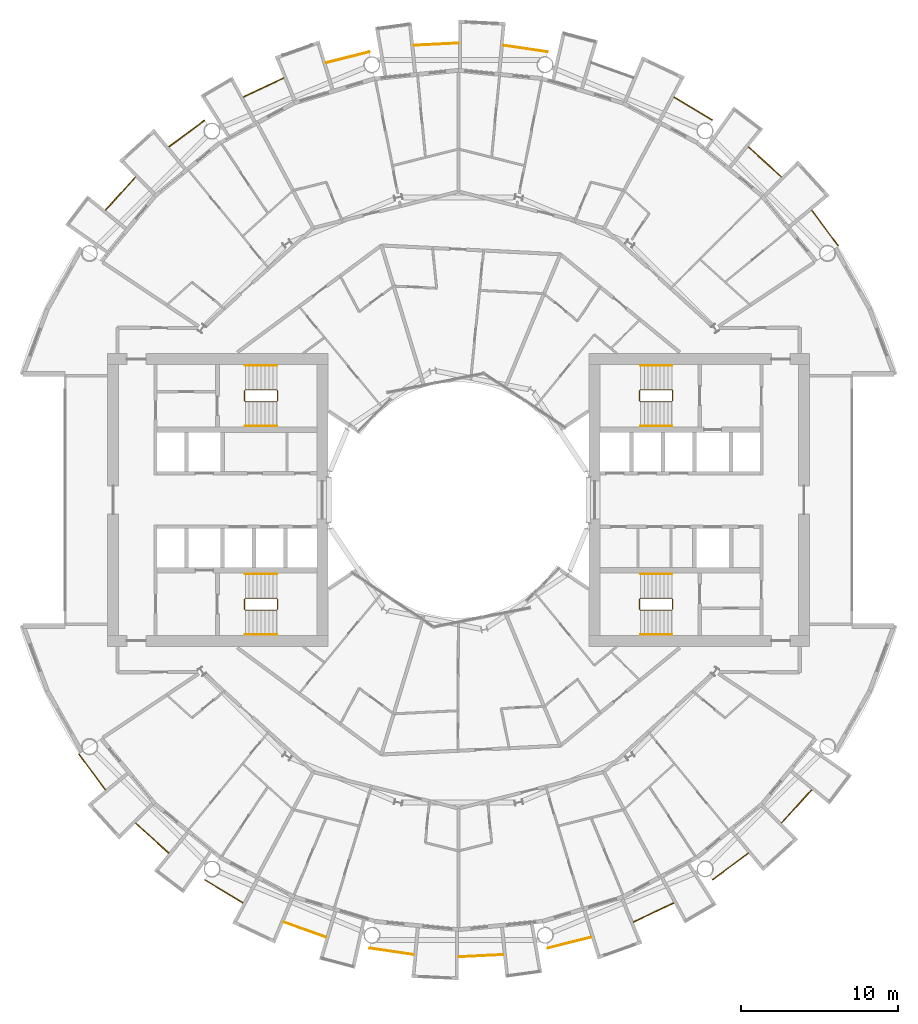
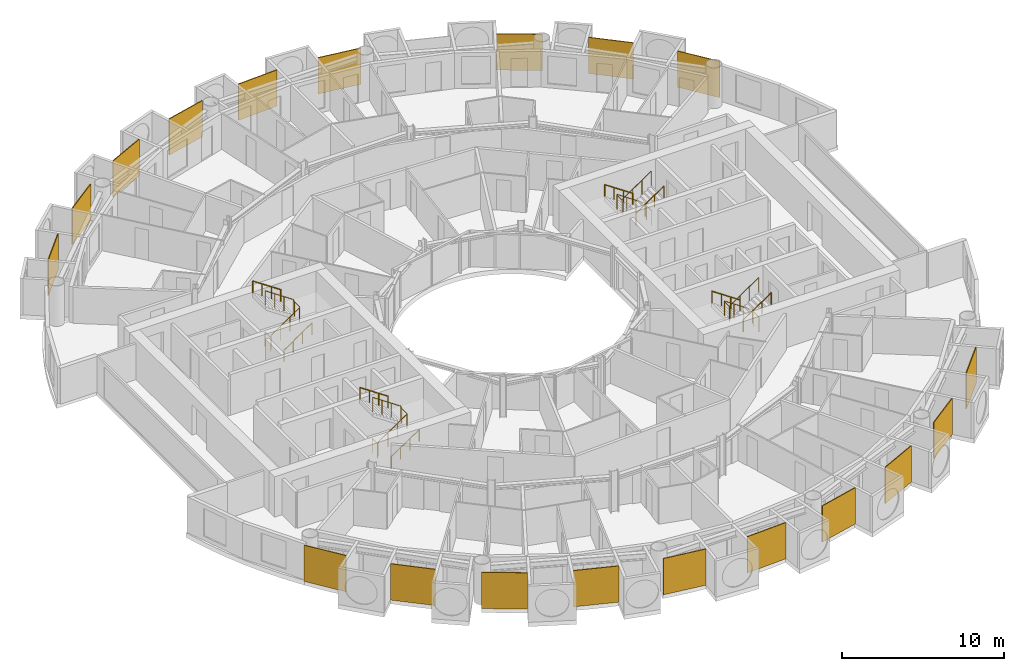
# One storey, part 25 of 26: 31 railings.
"""IFC4 building model written with IfcOpenShell, lengths in metres."""

from ifc_helpers import new_model, si_unit, direction, frame, origin, origin_2d, place, context, subcontext, project, spatial, polyline, circle, outline, extrude, material, layer, layer_set, type_object, element, save


model = new_model("IFC4")

# Units and contexts
model_context = context("Model", 3, precision=1e-05, world=origin(), true_north=direction((0.0, 1.0)))
body_context = subcontext(model_context, "Body", "Model", "MODEL_VIEW")
ifc_project = project(units=[si_unit("LENGTHUNIT", "METRE"), si_unit("AREAUNIT", "SQUARE_METRE"), si_unit("VOLUMEUNIT", "CUBIC_METRE"), si_unit("PLANEANGLEUNIT", "RADIAN"), si_unit("MASSUNIT", "GRAM", prefix="KILO")], contexts=[model_context])

# Site, building, storey
site_placement = place(None, origin())
site = spatial("IfcSite", under=ifc_project, at=site_placement, CompositionType="ELEMENT")
building_placement = place(site_placement, origin())
building = spatial("IfcBuilding", under=site, at=building_placement, Name="Maasbend Ring Residences", CompositionType="ELEMENT")
storey_placement = place(building_placement, frame((0.0, 0.0, 81.89990234375)))
storey = spatial("IfcBuildingStorey", under=building, at=storey_placement, Name="L23", CompositionType="ELEMENT", Elevation=81.89990234375)

# Railings
ifc_material_1 = material(Name="Pale anodised perforated aluminium", Category="aluminium")
ifc_layer = layer(ifc_material_1, 0.06005859375)
ifc_layer_set = layer_set([ifc_layer], Name="SCREEN-P")
railing_type_1 = type_object("IfcRailingType", Name="SCREEN-P", PredefinedType="GUARDRAIL", material=ifc_layer_set)
railing_1_placement = place(storey_placement, frame((0.0, 0.0, -0.02978515625)))
element("IfcRailing", 1, at=railing_1_placement, inside=storey, type_object=railing_type_1, Name="Perforated screen guard 1", PredefinedType="GUARDRAIL", context=body_context, shape_type="SweptSolid", body=[
    extrude(outline(polyline([(24.113037109375, 16.112060546875), (22.4169921875, 18.39697265625), (22.465087890625, 18.43310546875), (24.160888671875, 16.14697265625), (24.113037109375, 16.112060546875)])), origin(), (0.0, 0.0, 1.0), 2.72998046875),
])
railing_2_placement = place(storey_placement, frame((0.0, 0.0, -0.02978515625)))
element("IfcRailing", 2, at=railing_2_placement, inside=storey, type_object=railing_type_1, Name="Perforated screen guard 2", PredefinedType="GUARDRAIL", context=body_context, shape_type="SweptSolid", body=[
    extrude(outline(polyline([(20.506103515625, 20.506103515625), (18.39697265625, 22.4169921875), (18.43798828125, 22.4619140625), (20.5458984375, 20.551025390625), (20.506103515625, 20.506103515625)])), origin(), (0.0, 0.0, 1.0), 2.72998046875),
])
railing_3_placement = place(storey_placement, frame((0.0, 0.0, -0.02978515625)))
element("IfcRailing", 3, at=railing_3_placement, inside=storey, type_object=railing_type_1, Name="Perforated screen guard 3", PredefinedType="GUARDRAIL", context=body_context, shape_type="SweptSolid", body=[
    extrude(outline(polyline([(16.112060546875, 24.113037109375), (13.6708984375, 25.575927734375), (13.700927734375, 25.626953125), (16.14208984375, 24.1640625), (16.112060546875, 24.113037109375)])), origin(), (0.0, 0.0, 1.0), 2.72998046875),
])
railing_4_placement = place(storey_placement, frame((0.0, 0.0, -0.02978515625)))
element("IfcRailing", 4, at=railing_4_placement, inside=storey, type_object=railing_type_1, Name="Perforated screen guard 5", PredefinedType="GUARDRAIL", context=body_context, shape_type="SweptSolid", body=[
    extrude(outline(polyline([(5.657958984375, 28.443115234375), (2.842041015625, 28.860107421875), (2.85107421875, 28.919921875), (5.666015625, 28.501953125), (5.657958984375, 28.443115234375)])), origin(), (0.0, 0.0, 1.0), 2.72998046875),
])
railing_5_placement = place(storey_placement, frame((0.0, 0.0, -0.02978515625)))
element("IfcRailing", 5, at=railing_5_placement, inside=storey, type_object=railing_type_1, Name="Perforated screen guard 6", PredefinedType="GUARDRAIL", context=body_context, shape_type="SweptSolid", body=[
    extrude(outline(polyline([(0.0, 29.0), (-2.842041015625, 28.860107421875), (-2.844970703125, 28.919921875), (-0.0029296875, 29.06005859375), (0.0, 29.0)])), origin(), (0.0, 0.0, 1.0), 2.72998046875),
])
railing_6_placement = place(storey_placement, frame((0.0, 0.0, -0.02978515625)))
element("IfcRailing", 6, at=railing_6_placement, inside=storey, type_object=railing_type_1, Name="Perforated screen guard 7", PredefinedType="GUARDRAIL", context=body_context, shape_type="SweptSolid", body=[
    extrude(outline(polyline([(-5.657958984375, 28.443115234375), (-8.41796875, 27.7509765625), (-8.43310546875, 27.80908203125), (-5.672119140625, 28.5009765625), (-5.657958984375, 28.443115234375)])), origin(), (0.0, 0.0, 1.0), 2.72998046875),
])
railing_7_placement = place(storey_placement, frame((0.0, 0.0, -0.02978515625)))
element("IfcRailing", 7, at=railing_7_placement, inside=storey, type_object=railing_type_1, Name="Perforated screen guard 8", PredefinedType="GUARDRAIL", context=body_context, shape_type="SweptSolid", body=[
    extrude(outline(polyline([(-11.097900390625, 26.79296875), (-13.6708984375, 25.575927734375), (-13.696044921875, 25.6298828125), (-11.123046875, 26.846923828125), (-11.097900390625, 26.79296875)])), origin(), (0.0, 0.0, 1.0), 2.72998046875),
])
railing_8_placement = place(storey_placement, frame((0.0, 0.0, -0.02978515625)))
element("IfcRailing", 8, at=railing_8_placement, inside=storey, type_object=railing_type_1, Name="Perforated screen guard 9", PredefinedType="GUARDRAIL", context=body_context, shape_type="SweptSolid", body=[
    extrude(outline(polyline([(-16.112060546875, 24.113037109375), (-18.39697265625, 22.4169921875), (-18.43310546875, 22.465087890625), (-16.14697265625, 24.160888671875), (-16.112060546875, 24.113037109375)])), origin(), (0.0, 0.0, 1.0), 2.72998046875),
])
railing_9_placement = place(storey_placement, frame((0.0, 0.0, -0.02978515625)))
element("IfcRailing", 9, at=railing_9_placement, inside=storey, type_object=railing_type_1, Name="Perforated screen guard 10", PredefinedType="GUARDRAIL", context=body_context, shape_type="SweptSolid", body=[
    extrude(outline(polyline([(-20.506103515625, 20.506103515625), (-22.4169921875, 18.39697265625), (-22.4619140625, 18.43798828125), (-20.551025390625, 20.5458984375), (-20.506103515625, 20.506103515625)])), origin(), (0.0, 0.0, 1.0), 2.72998046875),
])
railing_10_placement = place(storey_placement, frame((0.0, 0.0, -0.02978515625)))
element("IfcRailing", 10, at=railing_10_placement, inside=storey, type_object=railing_type_1, Name="Perforated screen guard 1", PredefinedType="GUARDRAIL", context=body_context, shape_type="SweptSolid", body=[
    extrude(outline(polyline([(-24.113037109375, -16.112060546875), (-22.4169921875, -18.39697265625), (-22.465087890625, -18.43310546875), (-24.160888671875, -16.14697265625), (-24.113037109375, -16.112060546875)])), origin(), (0.0, 0.0, 1.0), 2.72998046875),
])
railing_11_placement = place(storey_placement, frame((0.0, 0.0, -0.02978515625)))
element("IfcRailing", 11, at=railing_11_placement, inside=storey, type_object=railing_type_1, Name="Perforated screen guard 2", PredefinedType="GUARDRAIL", context=body_context, shape_type="SweptSolid", body=[
    extrude(outline(polyline([(-20.506103515625, -20.506103515625), (-18.39697265625, -22.4169921875), (-18.43798828125, -22.4619140625), (-20.5458984375, -20.551025390625), (-20.506103515625, -20.506103515625)])), origin(), (0.0, 0.0, 1.0), 2.72998046875),
])
railing_12_placement = place(storey_placement, frame((0.0, 0.0, -0.02978515625)))
element("IfcRailing", 12, at=railing_12_placement, inside=storey, type_object=railing_type_1, Name="Perforated screen guard 3", PredefinedType="GUARDRAIL", context=body_context, shape_type="SweptSolid", body=[
    extrude(outline(polyline([(-16.112060546875, -24.113037109375), (-13.6708984375, -25.575927734375), (-13.700927734375, -25.626953125), (-16.14208984375, -24.1640625), (-16.112060546875, -24.113037109375)])), origin(), (0.0, 0.0, 1.0), 2.72998046875),
])
railing_13_placement = place(storey_placement, frame((0.0, 0.0, -0.02978515625)))
element("IfcRailing", 13, at=railing_13_placement, inside=storey, type_object=railing_type_1, Name="Perforated screen guard 4", PredefinedType="GUARDRAIL", context=body_context, shape_type="SweptSolid", body=[
    extrude(outline(polyline([(-11.097900390625, -26.79296875), (-8.41796875, -27.7509765625), (-8.43798828125, -27.80810546875), (-11.117919921875, -26.84912109375), (-11.097900390625, -26.79296875)])), origin(), (0.0, 0.0, 1.0), 2.72998046875),
])
railing_14_placement = place(storey_placement, frame((0.0, 0.0, -0.02978515625)))
element("IfcRailing", 14, at=railing_14_placement, inside=storey, type_object=railing_type_1, Name="Perforated screen guard 5", PredefinedType="GUARDRAIL", context=body_context, shape_type="SweptSolid", body=[
    extrude(outline(polyline([(-5.657958984375, -28.443115234375), (-2.842041015625, -28.860107421875), (-2.85107421875, -28.919921875), (-5.666015625, -28.501953125), (-5.657958984375, -28.443115234375)])), origin(), (0.0, 0.0, 1.0), 2.72998046875),
])
railing_15_placement = place(storey_placement, frame((0.0, 0.0, -0.02978515625)))
element("IfcRailing", 15, at=railing_15_placement, inside=storey, type_object=railing_type_1, Name="Perforated screen guard 6", PredefinedType="GUARDRAIL", context=body_context, shape_type="SweptSolid", body=[
    extrude(outline(polyline([(0.0, -29.0), (2.842041015625, -28.860107421875), (2.844970703125, -28.919921875), (0.0029296875, -29.06005859375), (0.0, -29.0)])), origin(), (0.0, 0.0, 1.0), 2.72998046875),
])
railing_16_placement = place(storey_placement, frame((0.0, 0.0, -0.02978515625)))
element("IfcRailing", 16, at=railing_16_placement, inside=storey, type_object=railing_type_1, Name="Perforated screen guard 7", PredefinedType="GUARDRAIL", context=body_context, shape_type="SweptSolid", body=[
    extrude(outline(polyline([(5.657958984375, -28.443115234375), (8.41796875, -27.7509765625), (8.43310546875, -27.80908203125), (5.672119140625, -28.5009765625), (5.657958984375, -28.443115234375)])), origin(), (0.0, 0.0, 1.0), 2.72998046875),
])
railing_17_placement = place(storey_placement, frame((0.0, 0.0, -0.02978515625)))
element("IfcRailing", 17, at=railing_17_placement, inside=storey, type_object=railing_type_1, Name="Perforated screen guard 8", PredefinedType="GUARDRAIL", context=body_context, shape_type="SweptSolid", body=[
    extrude(outline(polyline([(11.097900390625, -26.79296875), (13.6708984375, -25.575927734375), (13.696044921875, -25.6298828125), (11.123046875, -26.846923828125), (11.097900390625, -26.79296875)])), origin(), (0.0, 0.0, 1.0), 2.72998046875),
])
railing_18_placement = place(storey_placement, frame((0.0, 0.0, -0.02978515625)))
element("IfcRailing", 18, at=railing_18_placement, inside=storey, type_object=railing_type_1, Name="Perforated screen guard 9", PredefinedType="GUARDRAIL", context=body_context, shape_type="SweptSolid", body=[
    extrude(outline(polyline([(16.112060546875, -24.113037109375), (18.39697265625, -22.4169921875), (18.43310546875, -22.465087890625), (16.14697265625, -24.160888671875), (16.112060546875, -24.113037109375)])), origin(), (0.0, 0.0, 1.0), 2.72998046875),
])
railing_19_placement = place(storey_placement, frame((0.0, 0.0, -0.02978515625)))
element("IfcRailing", 19, at=railing_19_placement, inside=storey, type_object=railing_type_1, Name="Perforated screen guard 10", PredefinedType="GUARDRAIL", context=body_context, shape_type="SweptSolid", body=[
    extrude(outline(polyline([(20.506103515625, -20.506103515625), (22.4169921875, -18.39697265625), (22.4619140625, -18.43798828125), (20.551025390625, -20.5458984375), (20.506103515625, -20.506103515625)])), origin(), (0.0, 0.0, 1.0), 2.72998046875),
])
ifc_material_2 = material(Name="Stainless steel 316", Category="steel")
railing_type_2 = type_object("IfcRailingType", Name="STAIR GUARD 1100", PredefinedType="GUARDRAIL", material=ifc_material_2)
railing_20_placement = place(storey_placement, frame((13.60009765625, 6.300048828125, 0.0)))
element("IfcRailing", 20, at=railing_20_placement, inside=storey, type_object=railing_type_2, Name="L23 ST-E1 stair guard 1", PredefinedType="GUARDRAIL", context=body_context, shape_type="SweptSolid", body=[
    extrude(circle(Radius=0.02392578125, at=origin_2d()), frame((0.0, 0.0, 1.076171875), z_axis=(0.0, 1.0, 0.0), x_axis=(-1.0, 0.0, 0.0)), (0.0, 0.0, 1.0), 0.64990234375),
    extrude(circle(Radius=0.02392578125, at=origin_2d()), frame((0.0, 0.64990234375, 1.076171875), z_axis=(-0.272562526181, 0.272562526181, 0.92272386912), x_axis=(-0.707106781187, -0.707106781187, 0.0)), (0.0, 0.0, 1.0), 0.18359375),
    extrude(circle(Radius=0.02392578125, at=origin_2d()), frame((-0.050048828125, 0.699951171875, 1.24560546875), z_axis=(-0.827750655447, 0.0, 0.561096116906), x_axis=(0.0, -1.0, 0.0)), (0.0, 0.0, 1.0), 2.416259765625),
    extrude(circle(Radius=0.02392578125, at=origin_2d()), frame((-2.050048828125, 0.699951171875, 2.60107421875), z_axis=(-0.707106781187, -0.707106781187, 0.0), x_axis=(0.707106781187, -0.707106781187, 0.0)), (0.0, 0.0, 1.0), 0.07080078125),
    extrude(circle(Radius=0.02392578125, at=origin_2d()), frame((-2.10009765625, 0.64990234375, 2.60107421875), z_axis=(0.0, -1.0, 0.0), x_axis=(1.0, 0.0, 0.0)), (0.0, 0.0, 1.0), 0.64990234375),
    extrude(circle(Radius=0.02392578125, at=origin_2d()), frame((-2.10009765625, 0.0, 2.60107421875), z_axis=(0.272562526181, -0.272562526181, 0.92272386912), x_axis=(0.707106781187, 0.707106781187, 0.0)), (0.0, 0.0, 1.0), 0.18359375),
    extrude(circle(Radius=0.02392578125, at=origin_2d()), frame((-2.050048828125, -0.050048828125, 2.7705078125), z_axis=(0.827797584762, 0.0, 0.561026878735), x_axis=(0.0, 1.0, 0.0)), (0.0, 0.0, 1.0), 2.416015625),
    extrude(circle(Radius=0.02099609375, at=origin_2d()), origin(), (0.0, 0.0, 1.0), 1.052001953125),
    extrude(circle(Radius=0.02099609375, at=origin_2d()), frame((0.0, 0.64990234375, 0.0)), (0.0, 0.0, 1.0), 1.052001953125),
    extrude(circle(Radius=0.02099609375, at=origin_2d()), frame((-0.050048828125, 0.699951171875, 0.16943359375)), (0.0, 0.0, 1.0), 1.052001953125),
    extrude(circle(Radius=0.02099609375, at=origin_2d()), frame((-0.716796875, 0.699951171875, 0.621337890625)), (0.0, 0.0, 1.0), 1.052001953125),
    extrude(circle(Radius=0.02099609375, at=origin_2d()), frame((-1.38330078125, 0.699951171875, 1.0732421875)), (0.0, 0.0, 1.0), 1.052001953125),
    extrude(circle(Radius=0.02099609375, at=origin_2d()), frame((-2.050048828125, 0.699951171875, 1.525146484375)), (0.0, 0.0, 1.0), 1.052001953125),
    extrude(circle(Radius=0.02099609375, at=origin_2d()), frame((-2.10009765625, 0.64990234375, 1.525146484375)), (0.0, 0.0, 1.0), 1.052001953125),
    extrude(circle(Radius=0.02099609375, at=origin_2d()), frame((-2.10009765625, 0.0, 1.525146484375)), (0.0, 0.0, 1.0), 1.052001953125),
    extrude(circle(Radius=0.02099609375, at=origin_2d()), frame((-2.050048828125, -0.050048828125, 1.694580078125)), (0.0, 0.0, 1.0), 1.052001953125),
    extrude(circle(Radius=0.02099609375, at=origin_2d()), frame((-1.38330078125, -0.050048828125, 2.146484375)), (0.0, 0.0, 1.0), 1.052001953125),
    extrude(circle(Radius=0.02099609375, at=origin_2d()), frame((-0.716796875, -0.050048828125, 2.59814453125)), (0.0, 0.0, 1.0), 1.052001953125),
    extrude(circle(Radius=0.02099609375, at=origin_2d()), frame((-0.050048828125, -0.050048828125, 3.050048828125)), (0.0, 0.0, 1.0), 1.052001953125),
])
railing_21_placement = place(storey_placement, frame((13.60009765625, -6.949951171875, 0.0)))
element("IfcRailing", 21, at=railing_21_placement, inside=storey, type_object=railing_type_2, Name="L23 ST-E2 stair guard 1", PredefinedType="GUARDRAIL", context=body_context, shape_type="SweptSolid", body=[
    extrude(circle(Radius=0.02392578125, at=origin_2d()), frame((0.0, 0.0, 1.076171875), z_axis=(0.0, 1.0, 0.0), x_axis=(-1.0, 0.0, 0.0)), (0.0, 0.0, 1.0), 0.64990234375),
    extrude(circle(Radius=0.02392578125, at=origin_2d()), frame((0.0, 0.64990234375, 1.076171875), z_axis=(-0.272562526181, 0.272562526181, 0.92272386912), x_axis=(-0.707106781187, -0.707106781187, 0.0)), (0.0, 0.0, 1.0), 0.18359375),
    extrude(circle(Radius=0.02392578125, at=origin_2d()), frame((-0.050048828125, 0.699951171875, 1.24560546875), z_axis=(-0.827750655447, 0.0, 0.561096116906), x_axis=(0.0, -1.0, 0.0)), (0.0, 0.0, 1.0), 2.416259765625),
    extrude(circle(Radius=0.02392578125, at=origin_2d()), frame((-2.050048828125, 0.699951171875, 2.60107421875), z_axis=(-0.707106781187, -0.707106781187, 0.0), x_axis=(0.707106781187, -0.707106781187, 0.0)), (0.0, 0.0, 1.0), 0.07080078125),
    extrude(circle(Radius=0.02392578125, at=origin_2d()), frame((-2.10009765625, 0.64990234375, 2.60107421875), z_axis=(0.0, -1.0, 0.0), x_axis=(1.0, 0.0, 0.0)), (0.0, 0.0, 1.0), 0.64990234375),
    extrude(circle(Radius=0.02392578125, at=origin_2d()), frame((-2.10009765625, 0.0, 2.60107421875), z_axis=(0.272562526181, -0.272562526181, 0.92272386912), x_axis=(0.707106781187, 0.707106781187, 0.0)), (0.0, 0.0, 1.0), 0.18359375),
    extrude(circle(Radius=0.02392578125, at=origin_2d()), frame((-2.050048828125, -0.050048828125, 2.7705078125), z_axis=(0.827797584762, 0.0, 0.561026878735), x_axis=(0.0, 1.0, 0.0)), (0.0, 0.0, 1.0), 2.416015625),
    extrude(circle(Radius=0.02099609375, at=origin_2d()), origin(), (0.0, 0.0, 1.0), 1.052001953125),
    extrude(circle(Radius=0.02099609375, at=origin_2d()), frame((0.0, 0.64990234375, 0.0)), (0.0, 0.0, 1.0), 1.052001953125),
    extrude(circle(Radius=0.02099609375, at=origin_2d()), frame((-0.050048828125, 0.699951171875, 0.16943359375)), (0.0, 0.0, 1.0), 1.052001953125),
    extrude(circle(Radius=0.02099609375, at=origin_2d()), frame((-0.716796875, 0.699951171875, 0.621337890625)), (0.0, 0.0, 1.0), 1.052001953125),
    extrude(circle(Radius=0.02099609375, at=origin_2d()), frame((-1.38330078125, 0.699951171875, 1.0732421875)), (0.0, 0.0, 1.0), 1.052001953125),
    extrude(circle(Radius=0.02099609375, at=origin_2d()), frame((-2.050048828125, 0.699951171875, 1.525146484375)), (0.0, 0.0, 1.0), 1.052001953125),
    extrude(circle(Radius=0.02099609375, at=origin_2d()), frame((-2.10009765625, 0.64990234375, 1.525146484375)), (0.0, 0.0, 1.0), 1.052001953125),
    extrude(circle(Radius=0.02099609375, at=origin_2d()), frame((-2.10009765625, 0.0, 1.525146484375)), (0.0, 0.0, 1.0), 1.052001953125),
    extrude(circle(Radius=0.02099609375, at=origin_2d()), frame((-2.050048828125, -0.050048828125, 1.694580078125)), (0.0, 0.0, 1.0), 1.052001953125),
    extrude(circle(Radius=0.02099609375, at=origin_2d()), frame((-1.38330078125, -0.050048828125, 2.146484375)), (0.0, 0.0, 1.0), 1.052001953125),
    extrude(circle(Radius=0.02099609375, at=origin_2d()), frame((-0.716796875, -0.050048828125, 2.59814453125)), (0.0, 0.0, 1.0), 1.052001953125),
    extrude(circle(Radius=0.02099609375, at=origin_2d()), frame((-0.050048828125, -0.050048828125, 3.050048828125)), (0.0, 0.0, 1.0), 1.052001953125),
])
railing_22_placement = place(storey_placement, frame((-13.60009765625, -6.300048828125, 0.0)))
element("IfcRailing", 22, at=railing_22_placement, inside=storey, type_object=railing_type_2, Name="L23 ST-W1 stair guard 1", PredefinedType="GUARDRAIL", context=body_context, shape_type="SweptSolid", body=[
    extrude(circle(Radius=0.02392578125, at=origin_2d()), frame((0.0, 0.0, 1.076171875), z_axis=(0.0, -1.0, 0.0), x_axis=(1.0, 0.0, 0.0)), (0.0, 0.0, 1.0), 0.64990234375),
    extrude(circle(Radius=0.02392578125, at=origin_2d()), frame((0.0, -0.64990234375, 1.076171875), z_axis=(0.272562526181, -0.272562526181, 0.92272386912), x_axis=(0.707106781187, 0.707106781187, 0.0)), (0.0, 0.0, 1.0), 0.18359375),
    extrude(circle(Radius=0.02392578125, at=origin_2d()), frame((0.050048828125, -0.699951171875, 1.24560546875), z_axis=(0.827750655447, 0.0, 0.561096116906), x_axis=(0.0, 1.0, 0.0)), (0.0, 0.0, 1.0), 2.416259765625),
    extrude(circle(Radius=0.02392578125, at=origin_2d()), frame((2.050048828125, -0.699951171875, 2.60107421875), z_axis=(0.707106781187, 0.707106781187, 0.0), x_axis=(-0.707106781187, 0.707106781187, 0.0)), (0.0, 0.0, 1.0), 0.07080078125),
    extrude(circle(Radius=0.02392578125, at=origin_2d()), frame((2.10009765625, -0.64990234375, 2.60107421875), z_axis=(0.0, 1.0, 0.0), x_axis=(-1.0, 0.0, 0.0)), (0.0, 0.0, 1.0), 0.64990234375),
    extrude(circle(Radius=0.02392578125, at=origin_2d()), frame((2.10009765625, 0.0, 2.60107421875), z_axis=(-0.272562526181, 0.272562526181, 0.92272386912), x_axis=(-0.707106781187, -0.707106781187, 0.0)), (0.0, 0.0, 1.0), 0.18359375),
    extrude(circle(Radius=0.02392578125, at=origin_2d()), frame((2.050048828125, 0.050048828125, 2.7705078125), z_axis=(-0.827797584762, 0.0, 0.561026878735), x_axis=(0.0, -1.0, 0.0)), (0.0, 0.0, 1.0), 2.416015625),
    extrude(circle(Radius=0.02099609375, at=origin_2d()), origin(), (0.0, 0.0, 1.0), 1.052001953125),
    extrude(circle(Radius=0.02099609375, at=origin_2d()), frame((0.0, -0.64990234375, 0.0)), (0.0, 0.0, 1.0), 1.052001953125),
    extrude(circle(Radius=0.02099609375, at=origin_2d()), frame((0.050048828125, -0.699951171875, 0.16943359375)), (0.0, 0.0, 1.0), 1.052001953125),
    extrude(circle(Radius=0.02099609375, at=origin_2d()), frame((0.716796875, -0.699951171875, 0.621337890625)), (0.0, 0.0, 1.0), 1.052001953125),
    extrude(circle(Radius=0.02099609375, at=origin_2d()), frame((1.38330078125, -0.699951171875, 1.0732421875)), (0.0, 0.0, 1.0), 1.052001953125),
    extrude(circle(Radius=0.02099609375, at=origin_2d()), frame((2.050048828125, -0.699951171875, 1.525146484375)), (0.0, 0.0, 1.0), 1.052001953125),
    extrude(circle(Radius=0.02099609375, at=origin_2d()), frame((2.10009765625, -0.64990234375, 1.525146484375)), (0.0, 0.0, 1.0), 1.052001953125),
    extrude(circle(Radius=0.02099609375, at=origin_2d()), frame((2.10009765625, 0.0, 1.525146484375)), (0.0, 0.0, 1.0), 1.052001953125),
    extrude(circle(Radius=0.02099609375, at=origin_2d()), frame((2.050048828125, 0.050048828125, 1.694580078125)), (0.0, 0.0, 1.0), 1.052001953125),
    extrude(circle(Radius=0.02099609375, at=origin_2d()), frame((1.38330078125, 0.050048828125, 2.146484375)), (0.0, 0.0, 1.0), 1.052001953125),
    extrude(circle(Radius=0.02099609375, at=origin_2d()), frame((0.716796875, 0.050048828125, 2.59814453125)), (0.0, 0.0, 1.0), 1.052001953125),
    extrude(circle(Radius=0.02099609375, at=origin_2d()), frame((0.050048828125, 0.050048828125, 3.050048828125)), (0.0, 0.0, 1.0), 1.052001953125),
])
railing_23_placement = place(storey_placement, frame((-13.60009765625, 6.949951171875, 0.0)))
element("IfcRailing", 23, at=railing_23_placement, inside=storey, type_object=railing_type_2, Name="L23 ST-W2 stair guard 1", PredefinedType="GUARDRAIL", context=body_context, shape_type="SweptSolid", body=[
    extrude(circle(Radius=0.02392578125, at=origin_2d()), frame((0.0, 0.0, 1.076171875), z_axis=(0.0, -1.0, 0.0), x_axis=(1.0, 0.0, 0.0)), (0.0, 0.0, 1.0), 0.64990234375),
    extrude(circle(Radius=0.02392578125, at=origin_2d()), frame((0.0, -0.64990234375, 1.076171875), z_axis=(0.272562526181, -0.272562526181, 0.92272386912), x_axis=(0.707106781187, 0.707106781187, 0.0)), (0.0, 0.0, 1.0), 0.18359375),
    extrude(circle(Radius=0.02392578125, at=origin_2d()), frame((0.050048828125, -0.699951171875, 1.24560546875), z_axis=(0.827750655447, 0.0, 0.561096116906), x_axis=(0.0, 1.0, 0.0)), (0.0, 0.0, 1.0), 2.416259765625),
    extrude(circle(Radius=0.02392578125, at=origin_2d()), frame((2.050048828125, -0.699951171875, 2.60107421875), z_axis=(0.707106781187, 0.707106781187, 0.0), x_axis=(-0.707106781187, 0.707106781187, 0.0)), (0.0, 0.0, 1.0), 0.07080078125),
    extrude(circle(Radius=0.02392578125, at=origin_2d()), frame((2.10009765625, -0.64990234375, 2.60107421875), z_axis=(0.0, 1.0, 0.0), x_axis=(-1.0, 0.0, 0.0)), (0.0, 0.0, 1.0), 0.64990234375),
    extrude(circle(Radius=0.02392578125, at=origin_2d()), frame((2.10009765625, 0.0, 2.60107421875), z_axis=(-0.272562526181, 0.272562526181, 0.92272386912), x_axis=(-0.707106781187, -0.707106781187, 0.0)), (0.0, 0.0, 1.0), 0.18359375),
    extrude(circle(Radius=0.02392578125, at=origin_2d()), frame((2.050048828125, 0.050048828125, 2.7705078125), z_axis=(-0.827797584762, 0.0, 0.561026878735), x_axis=(0.0, -1.0, 0.0)), (0.0, 0.0, 1.0), 2.416015625),
    extrude(circle(Radius=0.02099609375, at=origin_2d()), origin(), (0.0, 0.0, 1.0), 1.052001953125),
    extrude(circle(Radius=0.02099609375, at=origin_2d()), frame((0.0, -0.64990234375, 0.0)), (0.0, 0.0, 1.0), 1.052001953125),
    extrude(circle(Radius=0.02099609375, at=origin_2d()), frame((0.050048828125, -0.699951171875, 0.16943359375)), (0.0, 0.0, 1.0), 1.052001953125),
    extrude(circle(Radius=0.02099609375, at=origin_2d()), frame((0.716796875, -0.699951171875, 0.621337890625)), (0.0, 0.0, 1.0), 1.052001953125),
    extrude(circle(Radius=0.02099609375, at=origin_2d()), frame((1.38330078125, -0.699951171875, 1.0732421875)), (0.0, 0.0, 1.0), 1.052001953125),
    extrude(circle(Radius=0.02099609375, at=origin_2d()), frame((2.050048828125, -0.699951171875, 1.525146484375)), (0.0, 0.0, 1.0), 1.052001953125),
    extrude(circle(Radius=0.02099609375, at=origin_2d()), frame((2.10009765625, -0.64990234375, 1.525146484375)), (0.0, 0.0, 1.0), 1.052001953125),
    extrude(circle(Radius=0.02099609375, at=origin_2d()), frame((2.10009765625, 0.0, 1.525146484375)), (0.0, 0.0, 1.0), 1.052001953125),
    extrude(circle(Radius=0.02099609375, at=origin_2d()), frame((2.050048828125, 0.050048828125, 1.694580078125)), (0.0, 0.0, 1.0), 1.052001953125),
    extrude(circle(Radius=0.02099609375, at=origin_2d()), frame((1.38330078125, 0.050048828125, 2.146484375)), (0.0, 0.0, 1.0), 1.052001953125),
    extrude(circle(Radius=0.02099609375, at=origin_2d()), frame((0.716796875, 0.050048828125, 2.59814453125)), (0.0, 0.0, 1.0), 1.052001953125),
    extrude(circle(Radius=0.02099609375, at=origin_2d()), frame((0.050048828125, 0.050048828125, 3.050048828125)), (0.0, 0.0, 1.0), 1.052001953125),
])
ifc_material_3 = material(Name="Stainless steel 316", Category="steel")
railing_type_3 = type_object("IfcRailingType", Name="STAIR HANDRAIL 900", PredefinedType="HANDRAIL", material=ifc_material_3)
railing_24_placement = place(storey_placement, frame((13.550048828125, 8.550048828125, 0.16943359375)))
element("IfcRailing", 24, at=railing_24_placement, inside=storey, type_object=railing_type_3, Name="L23 ST-E1 stair handrail 1", PredefinedType="HANDRAIL", context=body_context, shape_type="SweptSolid", body=[
    extrude(circle(Radius=0.02392578125, at=origin_2d()), frame((0.0, 0.0, 0.8759765625), z_axis=(-0.827750655447, 0.0, 0.561096116906), x_axis=(0.0, -1.0, 0.0)), (0.0, 0.0, 1.0), 2.416259765625),
    extrude(circle(Radius=0.02099609375, at=origin_2d()), origin(), (0.0, 0.0, 1.0), 0.851806640625),
    extrude(circle(Radius=0.02099609375, at=origin_2d()), frame((-0.666748046875, 0.0, 0.451904296875)), (0.0, 0.0, 1.0), 0.851806640625),
    extrude(circle(Radius=0.02099609375, at=origin_2d()), frame((-1.333251953125, 0.0, 0.90380859375)), (0.0, 0.0, 1.0), 0.851806640625),
    extrude(circle(Radius=0.02099609375, at=origin_2d()), frame((-2.0, 0.0, 1.355712890625)), (0.0, 0.0, 1.0), 0.851806640625),
])
railing_25_placement = place(storey_placement, frame((11.550048828125, 4.699951171875, 1.694580078125)))
element("IfcRailing", 25, at=railing_25_placement, inside=storey, type_object=railing_type_3, Name="L23 ST-E1 stair handrail 2", PredefinedType="HANDRAIL", context=body_context, shape_type="SweptSolid", body=[
    extrude(circle(Radius=0.02392578125, at=origin_2d()), frame((0.0, 0.0, 0.8759765625), z_axis=(0.827797584762, 0.0, 0.561026878735), x_axis=(0.0, 1.0, 0.0)), (0.0, 0.0, 1.0), 2.416015625),
    extrude(circle(Radius=0.02099609375, at=origin_2d()), origin(), (0.0, 0.0, 1.0), 0.851806640625),
    extrude(circle(Radius=0.02099609375, at=origin_2d()), frame((0.666748046875, 0.0, 0.451904296875)), (0.0, 0.0, 1.0), 0.851806640625),
    extrude(circle(Radius=0.02099609375, at=origin_2d()), frame((1.333251953125, 0.0, 0.903564453125)), (0.0, 0.0, 1.0), 0.851806640625),
    extrude(circle(Radius=0.02099609375, at=origin_2d()), frame((2.0, 0.0, 1.35546875)), (0.0, 0.0, 1.0), 0.851806640625),
])
railing_26_placement = place(storey_placement, frame((13.550048828125, -4.699951171875, 0.16943359375)))
element("IfcRailing", 26, at=railing_26_placement, inside=storey, type_object=railing_type_3, Name="L23 ST-E2 stair handrail 1", PredefinedType="HANDRAIL", context=body_context, shape_type="SweptSolid", body=[
    extrude(circle(Radius=0.02392578125, at=origin_2d()), frame((0.0, 0.0, 0.8759765625), z_axis=(-0.827750655447, 0.0, 0.561096116906), x_axis=(0.0, -1.0, 0.0)), (0.0, 0.0, 1.0), 2.416259765625),
    extrude(circle(Radius=0.02099609375, at=origin_2d()), origin(), (0.0, 0.0, 1.0), 0.851806640625),
    extrude(circle(Radius=0.02099609375, at=origin_2d()), frame((-0.666748046875, 0.0, 0.451904296875)), (0.0, 0.0, 1.0), 0.851806640625),
    extrude(circle(Radius=0.02099609375, at=origin_2d()), frame((-1.333251953125, 0.0, 0.90380859375)), (0.0, 0.0, 1.0), 0.851806640625),
    extrude(circle(Radius=0.02099609375, at=origin_2d()), frame((-2.0, 0.0, 1.355712890625)), (0.0, 0.0, 1.0), 0.851806640625),
])
railing_27_placement = place(storey_placement, frame((11.550048828125, -8.550048828125, 1.694580078125)))
element("IfcRailing", 27, at=railing_27_placement, inside=storey, type_object=railing_type_3, Name="L23 ST-E2 stair handrail 2", PredefinedType="HANDRAIL", context=body_context, shape_type="SweptSolid", body=[
    extrude(circle(Radius=0.02392578125, at=origin_2d()), frame((0.0, 0.0, 0.8759765625), z_axis=(0.827797584762, 0.0, 0.561026878735), x_axis=(0.0, 1.0, 0.0)), (0.0, 0.0, 1.0), 2.416015625),
    extrude(circle(Radius=0.02099609375, at=origin_2d()), origin(), (0.0, 0.0, 1.0), 0.851806640625),
    extrude(circle(Radius=0.02099609375, at=origin_2d()), frame((0.666748046875, 0.0, 0.451904296875)), (0.0, 0.0, 1.0), 0.851806640625),
    extrude(circle(Radius=0.02099609375, at=origin_2d()), frame((1.333251953125, 0.0, 0.903564453125)), (0.0, 0.0, 1.0), 0.851806640625),
    extrude(circle(Radius=0.02099609375, at=origin_2d()), frame((2.0, 0.0, 1.35546875)), (0.0, 0.0, 1.0), 0.851806640625),
])
railing_28_placement = place(storey_placement, frame((-13.550048828125, -8.550048828125, 0.16943359375)))
element("IfcRailing", 28, at=railing_28_placement, inside=storey, type_object=railing_type_3, Name="L23 ST-W1 stair handrail 1", PredefinedType="HANDRAIL", context=body_context, shape_type="SweptSolid", body=[
    extrude(circle(Radius=0.02392578125, at=origin_2d()), frame((0.0, 0.0, 0.8759765625), z_axis=(0.827750655447, 0.0, 0.561096116906), x_axis=(0.0, 1.0, 0.0)), (0.0, 0.0, 1.0), 2.416259765625),
    extrude(circle(Radius=0.02099609375, at=origin_2d()), origin(), (0.0, 0.0, 1.0), 0.851806640625),
    extrude(circle(Radius=0.02099609375, at=origin_2d()), frame((0.666748046875, 0.0, 0.451904296875)), (0.0, 0.0, 1.0), 0.851806640625),
    extrude(circle(Radius=0.02099609375, at=origin_2d()), frame((1.333251953125, 0.0, 0.90380859375)), (0.0, 0.0, 1.0), 0.851806640625),
    extrude(circle(Radius=0.02099609375, at=origin_2d()), frame((2.0, 0.0, 1.355712890625)), (0.0, 0.0, 1.0), 0.851806640625),
])
railing_29_placement = place(storey_placement, frame((-11.550048828125, -4.699951171875, 1.694580078125)))
element("IfcRailing", 29, at=railing_29_placement, inside=storey, type_object=railing_type_3, Name="L23 ST-W1 stair handrail 2", PredefinedType="HANDRAIL", context=body_context, shape_type="SweptSolid", body=[
    extrude(circle(Radius=0.02392578125, at=origin_2d()), frame((0.0, 0.0, 0.8759765625), z_axis=(-0.827797584762, 0.0, 0.561026878735), x_axis=(0.0, -1.0, 0.0)), (0.0, 0.0, 1.0), 2.416015625),
    extrude(circle(Radius=0.02099609375, at=origin_2d()), origin(), (0.0, 0.0, 1.0), 0.851806640625),
    extrude(circle(Radius=0.02099609375, at=origin_2d()), frame((-0.666748046875, 0.0, 0.451904296875)), (0.0, 0.0, 1.0), 0.851806640625),
    extrude(circle(Radius=0.02099609375, at=origin_2d()), frame((-1.333251953125, 0.0, 0.903564453125)), (0.0, 0.0, 1.0), 0.851806640625),
    extrude(circle(Radius=0.02099609375, at=origin_2d()), frame((-2.0, 0.0, 1.35546875)), (0.0, 0.0, 1.0), 0.851806640625),
])
railing_30_placement = place(storey_placement, frame((-13.550048828125, 4.699951171875, 0.16943359375)))
element("IfcRailing", 30, at=railing_30_placement, inside=storey, type_object=railing_type_3, Name="L23 ST-W2 stair handrail 1", PredefinedType="HANDRAIL", context=body_context, shape_type="SweptSolid", body=[
    extrude(circle(Radius=0.02392578125, at=origin_2d()), frame((0.0, 0.0, 0.8759765625), z_axis=(0.827750655447, 0.0, 0.561096116906), x_axis=(0.0, 1.0, 0.0)), (0.0, 0.0, 1.0), 2.416259765625),
    extrude(circle(Radius=0.02099609375, at=origin_2d()), origin(), (0.0, 0.0, 1.0), 0.851806640625),
    extrude(circle(Radius=0.02099609375, at=origin_2d()), frame((0.666748046875, 0.0, 0.451904296875)), (0.0, 0.0, 1.0), 0.851806640625),
    extrude(circle(Radius=0.02099609375, at=origin_2d()), frame((1.333251953125, 0.0, 0.90380859375)), (0.0, 0.0, 1.0), 0.851806640625),
    extrude(circle(Radius=0.02099609375, at=origin_2d()), frame((2.0, 0.0, 1.355712890625)), (0.0, 0.0, 1.0), 0.851806640625),
])
railing_31_placement = place(storey_placement, frame((-11.550048828125, 8.550048828125, 1.694580078125)))
element("IfcRailing", 31, at=railing_31_placement, inside=storey, type_object=railing_type_3, Name="L23 ST-W2 stair handrail 2", PredefinedType="HANDRAIL", context=body_context, shape_type="SweptSolid", body=[
    extrude(circle(Radius=0.02392578125, at=origin_2d()), frame((0.0, 0.0, 0.8759765625), z_axis=(-0.827797584762, 0.0, 0.561026878735), x_axis=(0.0, -1.0, 0.0)), (0.0, 0.0, 1.0), 2.416015625),
    extrude(circle(Radius=0.02099609375, at=origin_2d()), origin(), (0.0, 0.0, 1.0), 0.851806640625),
    extrude(circle(Radius=0.02099609375, at=origin_2d()), frame((-0.666748046875, 0.0, 0.451904296875)), (0.0, 0.0, 1.0), 0.851806640625),
    extrude(circle(Radius=0.02099609375, at=origin_2d()), frame((-1.333251953125, 0.0, 0.903564453125)), (0.0, 0.0, 1.0), 0.851806640625),
    extrude(circle(Radius=0.02099609375, at=origin_2d()), frame((-2.0, 0.0, 1.35546875)), (0.0, 0.0, 1.0), 0.851806640625),
])

save(model, "model.ifc")
